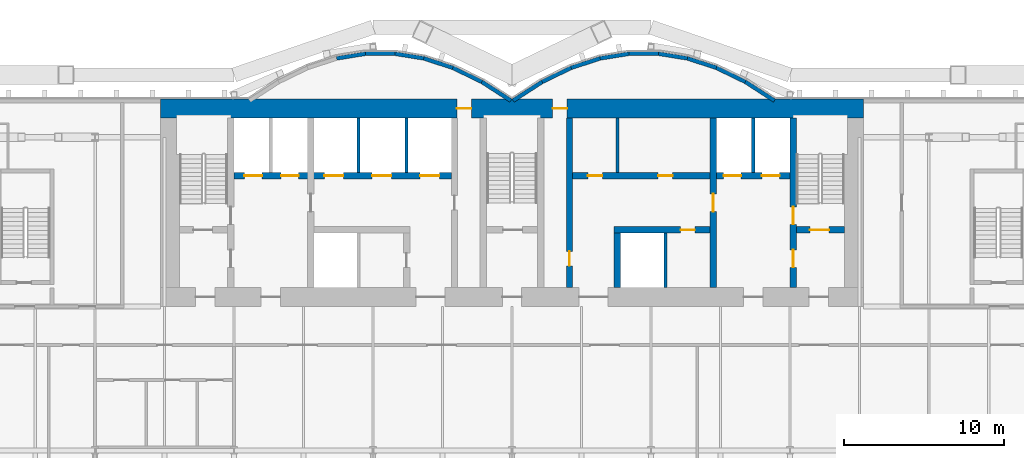
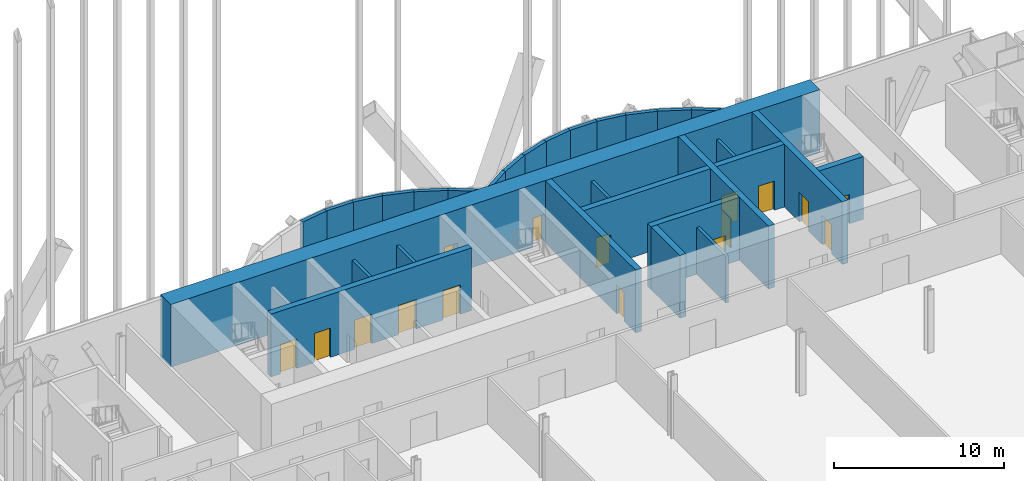
# One storey, part 25 of 29: 29 walls, 17 doors, 17 openings.
"""IFC4 building model written with IfcOpenShell, lengths in metres."""

from ifc_helpers import new_model, si_unit, direction, frame, frame_2d, origin, place, context, subcontext, project, spatial, rectangle, extrude, material, layer, layer_set, layer_usage, type_object, element, fill, save


model = new_model("IFC4")

# Units and contexts
model_context = context("Model", 3, precision=1e-05, world=origin(), true_north=direction((0.0, 1.0)))
body_context = subcontext(model_context, "Body", "Model", "MODEL_VIEW")
ifc_project = project(units=[si_unit("LENGTHUNIT", "METRE"), si_unit("AREAUNIT", "SQUARE_METRE"), si_unit("VOLUMEUNIT", "CUBIC_METRE"), si_unit("PLANEANGLEUNIT", "RADIAN"), si_unit("MASSUNIT", "GRAM", prefix="KILO")], contexts=[model_context])

# Site, building, storey
site_placement = place(None, origin())
site = spatial("IfcSite", under=ifc_project, at=site_placement, CompositionType="ELEMENT")
building_placement = place(site_placement, origin())
building = spatial("IfcBuilding", under=site, at=building_placement, Name="Bicima Exchange Tower", CompositionType="ELEMENT")
storey_placement = place(building_placement, frame((0.0, 0.0, 35.0)))
storey = spatial("IfcBuildingStorey", under=building, at=storey_placement, Name="L06", CompositionType="ELEMENT", Elevation=35.0)

# Walls
ifc_material_1 = material(Name="Gypsum board partition")
ifc_layer_1 = layer(ifc_material_1, 0.199951171875)
ifc_layer_set_1 = layer_set([ifc_layer_1], Name="Gypsum board partition")
wall_type_1 = type_object("IfcWallType", Name="Fire-rated gypsum partition 200 EI120", PredefinedType="PARTITIONING", material=ifc_layer_set_1)
for number, where, z_axis, x_axis, name in (
    (1, (-9.60009765625, -4.60009765625, 0.0), (0.0, 0.0, 1.0), (0.0, 1.0, 0.0), "partition wall 12"),
    (2, (-6.60009765625, -4.60009765625, 0.0), (0.0, 0.0, 1.0), (0.0, 1.0, 0.0), "partition wall 14"),
    (3, (9.60009765625, -11.800048828125, 0.0), (0.0, 0.0, 1.0), (0.0, 1.0, 0.0), "partition wall 21"),
    (4, (15.10009765625, -4.60009765625, 0.0), (0.0, 0.0, 1.0), (0.0, 1.0, 0.0), "partition wall 23"),
):
    element("IfcWall", number, at=place(storey_placement, frame(where, z_axis=z_axis, x_axis=x_axis)), inside=storey, type_object=wall_type_1, Name=name, PredefinedType="PARTITIONING", context=body_context, shape_type="SweptSolid", body=[
        extrude(rectangle(XDim=3.400146484375, YDim=0.199951171875, at=frame_2d((1.7001953125, 0.0))), origin(), (0.0, 0.0, 1.0), 3.359619140625),
    ])
ifc_layer_2 = layer(ifc_material_1, 0.199951171875)
ifc_layer_set_2 = layer_set([ifc_layer_2], Name="Gypsum board partition")
wall_type_2 = type_object("IfcWallType", Name="Fire-rated gypsum partition 200 EI60", PredefinedType="PARTITIONING", material=ifc_layer_set_2)
wall_1_placement = place(storey_placement, frame((6.60009765625, -4.60009765625, 0.0), z_axis=(0.0, 0.0, 1.0), x_axis=(0.0, 1.0, 0.0)))
element("IfcWall", 5, at=wall_1_placement, inside=storey, type_object=wall_type_2, Name="partition wall 20", PredefinedType="PARTITIONING", context=body_context, shape_type="SweptSolid", body=[
    extrude(rectangle(XDim=3.400146484375, YDim=0.199951171875, at=frame_2d((1.7001953125, 0.0))), origin(), (0.0, 0.0, 1.0), 3.359619140625),
])

# Wall, openings, doors
ifc_material_2 = material(Name="Concrete C60/75", Category="concrete")
ifc_layer_3 = layer(ifc_material_2, 1.199951171875)
ifc_layer_set_3 = layer_set([ifc_layer_3], Name="Concrete C60/75")
wall_type_3 = type_object("IfcWallType", Name="RC core wall 1200 C60/75", PredefinedType="SHEAR", material=ifc_layer_set_3)
wall_2_placement = place(storey_placement, frame((-22.0, -0.60009765625, 0.0), z_axis=(0.0, 0.0, 1.0), x_axis=(1.0, 0.0, 0.0)))
wall_2 = element("IfcWall", 6, at=wall_2_placement, inside=storey, type_object=wall_type_3, Name="Core wall north", PredefinedType="SHEAR", context=body_context, shape_type="SweptSolid", body=[
    extrude(rectangle(XDim=44.0, YDim=1.199951171875, at=frame_2d((22.0, 0.0))), origin(), (0.0, 0.0, 1.0), 4.5),
])
opening_1_placement = place(wall_2_placement, frame((18.550048828125, 0.0, 0.0)))
opening_1 = element("IfcOpeningElement", 7, at=opening_1_placement, cuts=wall_2, Name="Opening L06-C16", PredefinedType="OPENING", context=body_context, shape_type="SweptSolid", body=[
    extrude(rectangle(XDim=0.89990234375, YDim=2.10009765625, at=frame_2d((0.449951171875, 1.050048828125))), frame((0.0, 0.61181640625, 0.0), z_axis=(0.0, -1.0, 0.0), x_axis=(1.0, 0.0, 0.0)), (0.0, 0.0, 1.0), 1.223876953125),
])
opening_2_placement = place(wall_2_placement, frame((24.550048828125, 0.0, 0.0)))
opening_2 = element("IfcOpeningElement", 8, at=opening_2_placement, cuts=wall_2, Name="Opening L06-C17", PredefinedType="OPENING", context=body_context, shape_type="SweptSolid", body=[
    extrude(rectangle(XDim=0.89990234375, YDim=2.10009765625, at=frame_2d((0.449951171875, 1.050048828125))), frame((0.0, 0.61181640625, 0.0), z_axis=(0.0, -1.0, 0.0), x_axis=(1.0, 0.0, 0.0)), (0.0, 0.0, 1.0), 1.223876953125),
])
ifc_material_3 = material(Name="Steel fire door leaf", Category="steel")
door_type_1 = type_object("IfcDoorType", Name="Door 900 swing FD30S", OperationType="SINGLE_SWING_LEFT", PredefinedType="DOOR", material=ifc_material_3)
door_1_placement = place(opening_1_placement, origin())
door_1 = element("IfcDoor", 9, at=door_1_placement, inside=storey, type_object=door_type_1, Name="Core door", OperationType="SINGLE_SWING_LEFT", OverallHeight=2.10009765625, OverallWidth=0.89990234375, PredefinedType="DOOR", context=body_context, shape_type="SweptSolid", body=[
    extrude(rectangle(XDim=0.89990234375, YDim=2.10009765625, at=frame_2d((0.449951171875, 1.050048828125))), frame((0.0, 0.02490234375, 0.0), z_axis=(0.0, -1.0, 0.0), x_axis=(1.0, 0.0, 0.0)), (0.0, 0.0, 1.0), 0.050048828125),
])
fill(opening_1, door_1)
door_2_placement = place(opening_2_placement, origin())
door_2 = element("IfcDoor", 10, at=door_2_placement, inside=storey, type_object=door_type_1, Name="Core door", OperationType="SINGLE_SWING_LEFT", OverallHeight=2.10009765625, OverallWidth=0.89990234375, PredefinedType="DOOR", context=body_context, shape_type="SweptSolid", body=[
    extrude(rectangle(XDim=0.89990234375, YDim=2.10009765625, at=frame_2d((0.449951171875, 1.050048828125))), frame((0.0, 0.02490234375, 0.0), z_axis=(0.0, -1.0, 0.0), x_axis=(1.0, 0.0, 0.0)), (0.0, 0.0, 1.0), 0.050048828125),
])
fill(opening_2, door_2)

# Wall, opening, door
ifc_material_4 = material(Name="Concrete C50/60", Category="concrete")
ifc_layer_4 = layer(ifc_material_4, 0.39990234375)
ifc_layer_set_4 = layer_set([ifc_layer_4], Name="Concrete C50/60")
wall_type_4 = type_object("IfcWallType", Name="RC core wall 400 C50/60", PredefinedType="SHEAR", material=ifc_layer_set_4)
wall_3_placement = place(storey_placement, frame((17.800048828125, -8.199951171875, 0.0), z_axis=(0.0, 0.0, 1.0), x_axis=(1.0, 0.0, 0.0)))
wall_3 = element("IfcWall", 11, at=wall_3_placement, inside=storey, type_object=wall_type_4, Name="stair wall 5", PredefinedType="SHEAR", context=body_context, shape_type="SweptSolid", body=[
    extrude(rectangle(XDim=3.0, YDim=0.39990234375, at=frame_2d((1.5, 0.0))), origin(), (0.0, 0.0, 1.0), 4.5),
])
opening_3_placement = place(wall_3_placement, frame((0.85009765625, 0.0, 0.0)))
opening_3 = element("IfcOpeningElement", 12, at=opening_3_placement, cuts=wall_3, Name="Opening L06-C04", PredefinedType="OPENING", context=body_context, shape_type="SweptSolid", body=[
    extrude(rectangle(XDim=1.199951171875, YDim=2.10009765625, at=frame_2d((0.60009765625, 1.050048828125))), frame((0.0, 0.2119140625, 0.0), z_axis=(0.0, -1.0, 0.0), x_axis=(1.0, 0.0, 0.0)), (0.0, 0.0, 1.0), 0.423828125),
])
door_type_2 = type_object("IfcDoorType", Name="Door 1200 swing FD60S", OperationType="SINGLE_SWING_LEFT", PredefinedType="DOOR", material=ifc_material_3)
door_3_placement = place(opening_3_placement, origin())
door_3 = element("IfcDoor", 13, at=door_3_placement, inside=storey, type_object=door_type_2, Name="Core door", OperationType="SINGLE_SWING_RIGHT", OverallHeight=2.10009765625, OverallWidth=1.199951171875, PredefinedType="DOOR", context=body_context, shape_type="SweptSolid", body=[
    extrude(rectangle(XDim=1.199951171875, YDim=2.10009765625, at=frame_2d((0.60009765625, 1.050048828125))), frame((0.0, 0.02490234375, 0.0), z_axis=(0.0, -1.0, 0.0), x_axis=(1.0, 0.0, 0.0)), (0.0, 0.0, 1.0), 0.050048828125),
])
fill(opening_3, door_3)

# Wall, openings, doors
wall_4_placement = place(storey_placement, frame((17.60009765625, -11.800048828125, 0.0), z_axis=(0.0, 0.0, 1.0), x_axis=(0.0, 1.0, 0.0)))
wall_4 = element("IfcWall", 14, at=wall_4_placement, inside=storey, type_object=wall_type_4, Name="stair wall 24", PredefinedType="SHEAR", context=body_context, shape_type="SweptSolid", body=[
    extrude(rectangle(XDim=10.60009765625, YDim=0.39990234375, at=frame_2d((5.300048828125, 0.0))), origin(), (0.0, 0.0, 1.0), 4.5),
])
opening_4_placement = place(wall_4_placement, frame((1.25, 0.0, 0.0)))
opening_4 = element("IfcOpeningElement", 15, at=opening_4_placement, cuts=wall_4, Name="Opening L06-C05", PredefinedType="OPENING", context=body_context, shape_type="SweptSolid", body=[
    extrude(rectangle(XDim=1.10009765625, YDim=2.10009765625, at=frame_2d((0.550048828125, 1.050048828125))), frame((0.0, 0.2119140625, 0.0), z_axis=(0.0, -1.0, 0.0), x_axis=(1.0, 0.0, 0.0)), (0.0, 0.0, 1.0), 0.423828125),
])
opening_5_placement = place(wall_4_placement, frame((3.949951171875, 0.0, 0.0)))
opening_5 = element("IfcOpeningElement", 16, at=opening_5_placement, cuts=wall_4, Name="Opening L06-C08", PredefinedType="OPENING", context=body_context, shape_type="SweptSolid", body=[
    extrude(rectangle(XDim=1.10009765625, YDim=2.10009765625, at=frame_2d((0.550048828125, 1.050048828125))), frame((0.0, 0.2119140625, 0.0), z_axis=(0.0, -1.0, 0.0), x_axis=(1.0, 0.0, 0.0)), (0.0, 0.0, 1.0), 0.423828125),
])
door_type_3 = type_object("IfcDoorType", Name="Door 1100 swing FD60S", OperationType="SINGLE_SWING_LEFT", PredefinedType="DOOR", material=ifc_material_3)
door_4_placement = place(opening_4_placement, origin())
door_4 = element("IfcDoor", 17, at=door_4_placement, inside=storey, type_object=door_type_3, Name="Core door", OperationType="SINGLE_SWING_LEFT", OverallHeight=2.10009765625, OverallWidth=1.10009765625, PredefinedType="DOOR", context=body_context, shape_type="SweptSolid", body=[
    extrude(rectangle(XDim=1.10009765625, YDim=2.10009765625, at=frame_2d((0.550048828125, 1.050048828125))), frame((0.0, 0.02490234375, 0.0), z_axis=(0.0, -1.0, 0.0), x_axis=(1.0, 0.0, 0.0)), (0.0, 0.0, 1.0), 0.050048828125),
])
fill(opening_4, door_4)
door_5_placement = place(opening_5_placement, origin())
door_5 = element("IfcDoor", 18, at=door_5_placement, inside=storey, type_object=door_type_3, Name="Core door", OperationType="SINGLE_SWING_RIGHT", OverallHeight=2.10009765625, OverallWidth=1.10009765625, PredefinedType="DOOR", context=body_context, shape_type="SweptSolid", body=[
    extrude(rectangle(XDim=1.10009765625, YDim=2.10009765625, at=frame_2d((0.550048828125, 1.050048828125))), frame((0.0, 0.02490234375, 0.0), z_axis=(0.0, -1.0, 0.0), x_axis=(1.0, 0.0, 0.0)), (0.0, 0.0, 1.0), 0.050048828125),
])
fill(opening_5, door_5)

# Wall, opening, door
ifc_layer_5 = layer(ifc_material_2, 0.39990234375)
ifc_layer_set_5 = layer_set([ifc_layer_5], Name="Concrete C60/75")
wall_type_5 = type_object("IfcWallType", Name="RC core wall 400 C60/75", PredefinedType="SHEAR", material=ifc_layer_set_5)
wall_5_placement = place(storey_placement, frame((6.39990234375, -8.199951171875, 0.0), z_axis=(0.0, 0.0, 1.0), x_axis=(1.0, 0.0, 0.0)))
wall_5 = element("IfcWall", 19, at=wall_5_placement, inside=storey, type_object=wall_type_5, Name="shear wall 4", PredefinedType="SHEAR", context=body_context, shape_type="SweptSolid", body=[
    extrude(rectangle(XDim=6.0, YDim=0.39990234375, at=frame_2d((3.0, 0.0))), origin(), (0.0, 0.0, 1.0), 4.5),
])
opening_6_placement = place(wall_5_placement, frame((4.14990234375, 0.0, 0.0)))
opening_6 = element("IfcOpeningElement", 20, at=opening_6_placement, cuts=wall_5, Name="Opening L06-C15", PredefinedType="OPENING", context=body_context, shape_type="SweptSolid", body=[
    extrude(rectangle(XDim=0.89990234375, YDim=2.10009765625, at=frame_2d((0.449951171875, 1.050048828125))), frame((0.0, 0.2119140625, 0.0), z_axis=(0.0, -1.0, 0.0), x_axis=(1.0, 0.0, 0.0)), (0.0, 0.0, 1.0), 0.423828125),
])
door_6_placement = place(opening_6_placement, frame((0.89990234375, 0.0, 0.0), z_axis=(0.0, 0.0, 1.0), x_axis=(-1.0, 0.0, 0.0)))
door_6 = element("IfcDoor", 21, at=door_6_placement, inside=storey, type_object=door_type_1, Name="Core door", OperationType="SINGLE_SWING_RIGHT", OverallHeight=2.10009765625, OverallWidth=0.89990234375, PredefinedType="DOOR", context=body_context, shape_type="SweptSolid", body=[
    extrude(rectangle(XDim=0.89990234375, YDim=2.10009765625, at=frame_2d((0.449951171875, 1.050048828125))), frame((0.0, 0.02490234375, 0.0), z_axis=(0.0, -1.0, 0.0), x_axis=(1.0, 0.0, 0.0)), (0.0, 0.0, 1.0), 0.050048828125),
])
fill(opening_6, door_6)

# Wall, openings, doors
wall_6_placement = place(storey_placement, frame((-17.39990234375, -4.800048828125, 0.0), z_axis=(0.0, 0.0, 1.0), x_axis=(1.0, 0.0, 0.0)))
wall_6 = element("IfcWall", 22, at=wall_6_placement, inside=storey, type_object=wall_type_5, Name="shear wall 6", PredefinedType="SHEAR", context=body_context, shape_type="SweptSolid", body=[
    extrude(rectangle(XDim=13.599853515625, YDim=0.39990234375, at=frame_2d((6.7998046875, 0.0))), origin(), (0.0, 0.0, 1.0), 4.5),
])
opening_7_placement = place(wall_6_placement, frame((0.64990234375, 0.0, 0.0)))
opening_7 = element("IfcOpeningElement", 23, at=opening_7_placement, cuts=wall_6, Name="Opening LD-FF1-L06", PredefinedType="OPENING", context=body_context, shape_type="SweptSolid", body=[
    extrude(rectangle(XDim=1.10009765625, YDim=2.10009765625, at=frame_2d((0.550048828125, 1.050048828125))), frame((0.0, 0.2119140625, 0.0), z_axis=(0.0, -1.0, 0.0), x_axis=(1.0, 0.0, 0.0)), (0.0, 0.0, 1.0), 0.423828125),
])
opening_8_placement = place(wall_6_placement, frame((2.949951171875, 0.0, 0.0)))
opening_8 = element("IfcOpeningElement", 24, at=opening_8_placement, cuts=wall_6, Name="Opening LD-FF3-L06", PredefinedType="OPENING", context=body_context, shape_type="SweptSolid", body=[
    extrude(rectangle(XDim=1.10009765625, YDim=2.10009765625, at=frame_2d((0.550048828125, 1.050048828125))), frame((0.0, 0.2119140625, 0.0), z_axis=(0.0, -1.0, 0.0), x_axis=(1.0, 0.0, 0.0)), (0.0, 0.0, 1.0), 0.423828125),
])
opening_9_placement = place(wall_6_placement, frame((5.64990234375, 0.0, 0.0)))
opening_9 = element("IfcOpeningElement", 25, at=opening_9_placement, cuts=wall_6, Name="Opening LD-LB1-L06", PredefinedType="OPENING", context=body_context, shape_type="SweptSolid", body=[
    extrude(rectangle(XDim=1.199951171875, YDim=2.10009765625, at=frame_2d((0.60009765625, 1.050048828125))), frame((0.0, 0.2119140625, 0.0), z_axis=(0.0, -1.0, 0.0), x_axis=(1.0, 0.0, 0.0)), (0.0, 0.0, 1.0), 0.423828125),
])
opening_10_placement = place(wall_6_placement, frame((8.64990234375, 0.0, 0.0)))
opening_10 = element("IfcOpeningElement", 26, at=opening_10_placement, cuts=wall_6, Name="Opening LD-LB2-L06", PredefinedType="OPENING", context=body_context, shape_type="SweptSolid", body=[
    extrude(rectangle(XDim=1.199951171875, YDim=2.10009765625, at=frame_2d((0.60009765625, 1.050048828125))), frame((0.0, 0.2119140625, 0.0), z_axis=(0.0, -1.0, 0.0), x_axis=(1.0, 0.0, 0.0)), (0.0, 0.0, 1.0), 0.423828125),
])
opening_11_placement = place(wall_6_placement, frame((11.64990234375, 0.0, 0.0)))
opening_11 = element("IfcOpeningElement", 27, at=opening_11_placement, cuts=wall_6, Name="Opening LD-LB3-L06", PredefinedType="OPENING", context=body_context, shape_type="SweptSolid", body=[
    extrude(rectangle(XDim=1.199951171875, YDim=2.10009765625, at=frame_2d((0.60009765625, 1.050048828125))), frame((0.0, 0.2119140625, 0.0), z_axis=(0.0, -1.0, 0.0), x_axis=(1.0, 0.0, 0.0)), (0.0, 0.0, 1.0), 0.423828125),
])
ifc_material_5 = material(Name="Stainless steel", Category="steel")
door_type_4 = type_object("IfcDoorType", Name="Lift landing door 1100 sliding", OperationType="DOUBLE_DOOR_SLIDING", PredefinedType="DOOR", material=ifc_material_5)
door_7_placement = place(opening_7_placement, origin())
door_7 = element("IfcDoor", 28, at=door_7_placement, inside=storey, type_object=door_type_4, Name="Lift landing door FF1", OperationType="DOUBLE_DOOR_SLIDING", OverallHeight=2.10009765625, OverallWidth=1.10009765625, PredefinedType="DOOR", context=body_context, shape_type="SweptSolid", body=[
    extrude(rectangle(XDim=1.10009765625, YDim=2.10009765625, at=frame_2d((0.550048828125, 1.050048828125))), frame((0.0, 0.02490234375, 0.0), z_axis=(0.0, -1.0, 0.0), x_axis=(1.0, 0.0, 0.0)), (0.0, 0.0, 1.0), 0.050048828125),
])
fill(opening_7, door_7)
door_8_placement = place(opening_8_placement, origin())
door_8 = element("IfcDoor", 29, at=door_8_placement, inside=storey, type_object=door_type_4, Name="Lift landing door FF3", OperationType="DOUBLE_DOOR_SLIDING", OverallHeight=2.10009765625, OverallWidth=1.10009765625, PredefinedType="DOOR", context=body_context, shape_type="SweptSolid", body=[
    extrude(rectangle(XDim=1.10009765625, YDim=2.10009765625, at=frame_2d((0.550048828125, 1.050048828125))), frame((0.0, 0.02490234375, 0.0), z_axis=(0.0, -1.0, 0.0), x_axis=(1.0, 0.0, 0.0)), (0.0, 0.0, 1.0), 0.050048828125),
])
fill(opening_8, door_8)
door_type_5 = type_object("IfcDoorType", Name="Lift landing door 1200 sliding", OperationType="DOUBLE_DOOR_SLIDING", PredefinedType="DOOR", material=ifc_material_5)
door_9_placement = place(opening_9_placement, origin())
door_9 = element("IfcDoor", 30, at=door_9_placement, inside=storey, type_object=door_type_5, Name="Lift landing door LB1", OperationType="DOUBLE_DOOR_SLIDING", OverallHeight=2.10009765625, OverallWidth=1.199951171875, PredefinedType="DOOR", context=body_context, shape_type="SweptSolid", body=[
    extrude(rectangle(XDim=1.199951171875, YDim=2.10009765625, at=frame_2d((0.60009765625, 1.050048828125))), frame((0.0, 0.02490234375, 0.0), z_axis=(0.0, -1.0, 0.0), x_axis=(1.0, 0.0, 0.0)), (0.0, 0.0, 1.0), 0.050048828125),
])
fill(opening_9, door_9)
door_10_placement = place(opening_10_placement, origin())
door_10 = element("IfcDoor", 31, at=door_10_placement, inside=storey, type_object=door_type_5, Name="Lift landing door LB2", OperationType="DOUBLE_DOOR_SLIDING", OverallHeight=2.10009765625, OverallWidth=1.199951171875, PredefinedType="DOOR", context=body_context, shape_type="SweptSolid", body=[
    extrude(rectangle(XDim=1.199951171875, YDim=2.10009765625, at=frame_2d((0.60009765625, 1.050048828125))), frame((0.0, 0.02490234375, 0.0), z_axis=(0.0, -1.0, 0.0), x_axis=(1.0, 0.0, 0.0)), (0.0, 0.0, 1.0), 0.050048828125),
])
fill(opening_10, door_10)
door_11_placement = place(opening_11_placement, origin())
door_11 = element("IfcDoor", 32, at=door_11_placement, inside=storey, type_object=door_type_5, Name="Lift landing door LB3", OperationType="DOUBLE_DOOR_SLIDING", OverallHeight=2.10009765625, OverallWidth=1.199951171875, PredefinedType="DOOR", context=body_context, shape_type="SweptSolid", body=[
    extrude(rectangle(XDim=1.199951171875, YDim=2.10009765625, at=frame_2d((0.60009765625, 1.050048828125))), frame((0.0, 0.02490234375, 0.0), z_axis=(0.0, -1.0, 0.0), x_axis=(1.0, 0.0, 0.0)), (0.0, 0.0, 1.0), 0.050048828125),
])
fill(opening_11, door_11)

wall_7_placement = place(storey_placement, frame((3.800048828125, -4.800048828125, 0.0), z_axis=(0.0, 0.0, 1.0), x_axis=(1.0, 0.0, 0.0)))
wall_7 = element("IfcWall", 33, at=wall_7_placement, inside=storey, type_object=wall_type_5, Name="shear wall 7", PredefinedType="SHEAR", context=body_context, shape_type="SweptSolid", body=[
    extrude(rectangle(XDim=13.599853515625, YDim=0.39990234375, at=frame_2d((6.7998046875, 0.0))), origin(), (0.0, 0.0, 1.0), 4.5),
])
opening_12_placement = place(wall_7_placement, frame((9.449951171875, 0.0, 0.0)))
opening_12 = element("IfcOpeningElement", 34, at=opening_12_placement, cuts=wall_7, Name="Opening LD-FF2-L06", PredefinedType="OPENING", context=body_context, shape_type="SweptSolid", body=[
    extrude(rectangle(XDim=1.10009765625, YDim=2.10009765625, at=frame_2d((0.550048828125, 1.050048828125))), frame((0.0, 0.2119140625, 0.0), z_axis=(0.0, -1.0, 0.0), x_axis=(1.0, 0.0, 0.0)), (0.0, 0.0, 1.0), 0.423828125),
])
opening_13_placement = place(wall_7_placement, frame((11.85009765625, 0.0, 0.0)))
opening_13 = element("IfcOpeningElement", 35, at=opening_13_placement, cuts=wall_7, Name="Opening LD-SV1-L06", PredefinedType="OPENING", context=body_context, shape_type="SweptSolid", body=[
    extrude(rectangle(XDim=1.10009765625, YDim=2.10009765625, at=frame_2d((0.550048828125, 1.050048828125))), frame((0.0, 0.2119140625, 0.0), z_axis=(0.0, -1.0, 0.0), x_axis=(1.0, 0.0, 0.0)), (0.0, 0.0, 1.0), 0.423828125),
])
opening_14_placement = place(wall_7_placement, frame((0.949951171875, 0.0, 0.0)))
opening_14 = element("IfcOpeningElement", 36, at=opening_14_placement, cuts=wall_7, Name="Opening L06-C12", PredefinedType="OPENING", context=body_context, shape_type="SweptSolid", body=[
    extrude(rectangle(XDim=0.89990234375, YDim=2.10009765625, at=frame_2d((0.449951171875, 1.050048828125))), frame((0.0, 0.2119140625, 0.0), z_axis=(0.0, -1.0, 0.0), x_axis=(1.0, 0.0, 0.0)), (0.0, 0.0, 1.0), 0.423828125),
])
opening_15_placement = place(wall_7_placement, frame((5.35009765625, 0.0, 0.0)))
opening_15 = element("IfcOpeningElement", 37, at=opening_15_placement, cuts=wall_7, Name="Opening L06-C13", PredefinedType="OPENING", context=body_context, shape_type="SweptSolid", body=[
    extrude(rectangle(XDim=0.89990234375, YDim=2.10009765625, at=frame_2d((0.449951171875, 1.050048828125))), frame((0.0, 0.2119140625, 0.0), z_axis=(0.0, -1.0, 0.0), x_axis=(1.0, 0.0, 0.0)), (0.0, 0.0, 1.0), 0.423828125),
])
door_12_placement = place(opening_14_placement, origin())
door_12 = element("IfcDoor", 38, at=door_12_placement, inside=storey, type_object=door_type_1, Name="Core door", OperationType="SINGLE_SWING_RIGHT", OverallHeight=2.10009765625, OverallWidth=0.89990234375, PredefinedType="DOOR", context=body_context, shape_type="SweptSolid", body=[
    extrude(rectangle(XDim=0.89990234375, YDim=2.10009765625, at=frame_2d((0.449951171875, 1.050048828125))), frame((0.0, 0.02490234375, 0.0), z_axis=(0.0, -1.0, 0.0), x_axis=(1.0, 0.0, 0.0)), (0.0, 0.0, 1.0), 0.050048828125),
])
fill(opening_14, door_12)
door_13_placement = place(opening_15_placement, origin())
door_13 = element("IfcDoor", 39, at=door_13_placement, inside=storey, type_object=door_type_1, Name="Core door", OperationType="SINGLE_SWING_LEFT", OverallHeight=2.10009765625, OverallWidth=0.89990234375, PredefinedType="DOOR", context=body_context, shape_type="SweptSolid", body=[
    extrude(rectangle(XDim=0.89990234375, YDim=2.10009765625, at=frame_2d((0.449951171875, 1.050048828125))), frame((0.0, 0.02490234375, 0.0), z_axis=(0.0, -1.0, 0.0), x_axis=(1.0, 0.0, 0.0)), (0.0, 0.0, 1.0), 0.050048828125),
])
fill(opening_15, door_13)
door_14_placement = place(opening_12_placement, origin())
door_14 = element("IfcDoor", 40, at=door_14_placement, inside=storey, type_object=door_type_4, Name="Lift landing door FF2", OperationType="DOUBLE_DOOR_SLIDING", OverallHeight=2.10009765625, OverallWidth=1.10009765625, PredefinedType="DOOR", context=body_context, shape_type="SweptSolid", body=[
    extrude(rectangle(XDim=1.10009765625, YDim=2.10009765625, at=frame_2d((0.550048828125, 1.050048828125))), frame((0.0, 0.02490234375, 0.0), z_axis=(0.0, -1.0, 0.0), x_axis=(1.0, 0.0, 0.0)), (0.0, 0.0, 1.0), 0.050048828125),
])
fill(opening_12, door_14)
door_15_placement = place(opening_13_placement, origin())
door_15 = element("IfcDoor", 41, at=door_15_placement, inside=storey, type_object=door_type_4, Name="Lift landing door SV1", OperationType="DOUBLE_DOOR_SLIDING", OverallHeight=2.10009765625, OverallWidth=1.10009765625, PredefinedType="DOOR", context=body_context, shape_type="SweptSolid", body=[
    extrude(rectangle(XDim=1.10009765625, YDim=2.10009765625, at=frame_2d((0.550048828125, 1.050048828125))), frame((0.0, 0.02490234375, 0.0), z_axis=(0.0, -1.0, 0.0), x_axis=(1.0, 0.0, 0.0)), (0.0, 0.0, 1.0), 0.050048828125),
])
fill(opening_13, door_15)

# Wall, opening, door
wall_8_placement = place(storey_placement, frame((3.60009765625, -11.800048828125, 0.0), z_axis=(0.0, 0.0, 1.0), x_axis=(0.0, 1.0, 0.0)))
wall_8 = element("IfcWall", 42, at=wall_8_placement, inside=storey, type_object=wall_type_5, Name="shear wall 18", PredefinedType="SHEAR", context=body_context, shape_type="SweptSolid", body=[
    extrude(rectangle(XDim=10.60009765625, YDim=0.39990234375, at=frame_2d((5.300048828125, 0.0))), origin(), (0.0, 0.0, 1.0), 4.5),
])
opening_16_placement = place(wall_8_placement, frame((1.35009765625, 0.0, 0.0)))
opening_16 = element("IfcOpeningElement", 43, at=opening_16_placement, cuts=wall_8, Name="Opening L06-C11", PredefinedType="OPENING", context=body_context, shape_type="SweptSolid", body=[
    extrude(rectangle(XDim=0.89990234375, YDim=2.10009765625, at=frame_2d((0.449951171875, 1.050048828125))), frame((0.0, 0.2119140625, 0.0), z_axis=(0.0, -1.0, 0.0), x_axis=(1.0, 0.0, 0.0)), (0.0, 0.0, 1.0), 0.423828125),
])
door_16_placement = place(opening_16_placement, origin())
door_16 = element("IfcDoor", 44, at=door_16_placement, inside=storey, type_object=door_type_1, Name="Core door", OperationType="SINGLE_SWING_LEFT", OverallHeight=2.10009765625, OverallWidth=0.89990234375, PredefinedType="DOOR", context=body_context, shape_type="SweptSolid", body=[
    extrude(rectangle(XDim=0.89990234375, YDim=2.10009765625, at=frame_2d((0.449951171875, 1.050048828125))), frame((0.0, 0.02490234375, 0.0), z_axis=(0.0, -1.0, 0.0), x_axis=(1.0, 0.0, 0.0)), (0.0, 0.0, 1.0), 0.050048828125),
])
fill(opening_16, door_16)

# Wall
wall_9_placement = place(storey_placement, frame((6.60009765625, -11.800048828125, 0.0), z_axis=(0.0, 0.0, 1.0), x_axis=(0.0, 1.0, 0.0)))
element("IfcWall", 45, at=wall_9_placement, inside=storey, type_object=wall_type_5, Name="shear wall 19", PredefinedType="SHEAR", context=body_context, shape_type="SweptSolid", body=[
    extrude(rectangle(XDim=3.400146484375, YDim=0.39990234375, at=frame_2d((1.7001953125, 0.0))), origin(), (0.0, 0.0, 1.0), 4.5),
])

# Wall, opening, door
wall_10_placement = place(storey_placement, frame((12.60009765625, -11.800048828125, 0.0), z_axis=(0.0, 0.0, 1.0), x_axis=(0.0, 1.0, 0.0)))
wall_10 = element("IfcWall", 46, at=wall_10_placement, inside=storey, type_object=wall_type_5, Name="shear wall 22", PredefinedType="SHEAR", context=body_context, shape_type="SweptSolid", body=[
    extrude(rectangle(XDim=10.60009765625, YDim=0.39990234375, at=frame_2d((5.300048828125, 0.0))), origin(), (0.0, 0.0, 1.0), 4.5),
])
opening_17_placement = place(wall_10_placement, frame((4.75, 0.0, 0.0)))
opening_17 = element("IfcOpeningElement", 47, at=opening_17_placement, cuts=wall_10, Name="Opening L06-C09", PredefinedType="OPENING", context=body_context, shape_type="SweptSolid", body=[
    extrude(rectangle(XDim=1.10009765625, YDim=2.10009765625, at=frame_2d((0.550048828125, 1.050048828125))), frame((0.0, 0.2119140625, 0.0), z_axis=(0.0, -1.0, 0.0), x_axis=(1.0, 0.0, 0.0)), (0.0, 0.0, 1.0), 0.423828125),
])
door_17_placement = place(opening_17_placement, frame((1.10009765625, 0.0, 0.0), z_axis=(0.0, 0.0, 1.0), x_axis=(-1.0, 0.0, 0.0)))
door_17 = element("IfcDoor", 48, at=door_17_placement, inside=storey, type_object=door_type_3, Name="Core door", OperationType="SINGLE_SWING_RIGHT", OverallHeight=2.10009765625, OverallWidth=1.10009765625, PredefinedType="DOOR", context=body_context, shape_type="SweptSolid", body=[
    extrude(rectangle(XDim=1.10009765625, YDim=2.10009765625, at=frame_2d((0.550048828125, 1.050048828125))), frame((0.0, 0.02490234375, 0.0), z_axis=(0.0, -1.0, 0.0), x_axis=(1.0, 0.0, 0.0)), (0.0, 0.0, 1.0), 0.050048828125),
])
fill(opening_17, door_17)

# Walls
ifc_material_6 = material(Name="Concrete C40/50", Category="concrete")
ifc_layer_6 = layer(ifc_material_6, 0.25)
ifc_layer_set_6 = layer_set([ifc_layer_6], Name="Concrete C40/50")
ifc_layer_usage = layer_usage(ifc_layer_set_6, "AXIS2", "POSITIVE", -0.125)
wall_type_6 = type_object("IfcWallType", Name="Rear backup wall 250", PredefinedType="STANDARD", material=ifc_layer_set_6)
wall_11_placement = place(storey_placement, frame((16.43212890625, -0.10498046875, 0.0), z_axis=(0.0, 0.0, 1.0), x_axis=(-0.83981312244, 0.542875602121, 0.0)))
element("IfcWall", 49, at=wall_11_placement, inside=storey, type_object=wall_type_6, material=ifc_layer_usage, Name="Rear backup wall L06 2", PredefinedType="STANDARD", context=body_context, shape_type="SweptSolid", body=[
    extrude(rectangle(XDim=2.182861328125, YDim=0.25, at=frame_2d((1.09130859375, 0.0))), origin(), (0.0, 0.0, 1.0), 4.35009765625),
])
wall_12_placement = place(storey_placement, frame((14.6123046875, 1.07275390625, 0.0), z_axis=(0.0, 0.0, 1.0), x_axis=(-0.89982408427, 0.436252928206, 0.0)))
element("IfcWall", 50, at=wall_12_placement, inside=storey, type_object=wall_type_6, material=ifc_layer_usage, Name="Rear backup wall L06 3", PredefinedType="STANDARD", context=body_context, shape_type="SweptSolid", body=[
    extrude(rectangle(XDim=2.03759765625, YDim=0.25, at=frame_2d((1.018798828125, 0.0))), origin(), (0.0, 0.0, 1.0), 4.35009765625),
])
wall_13_placement = place(storey_placement, frame((12.794921875, 1.955078125, 0.0), z_axis=(0.0, 0.0, 1.0), x_axis=(-0.951495806175, 0.307661714928, 0.0)))
element("IfcWall", 51, at=wall_13_placement, inside=storey, type_object=wall_type_6, material=ifc_layer_usage, Name="Rear backup wall L06 4", PredefinedType="STANDARD", context=body_context, shape_type="SweptSolid", body=[
    extrude(rectangle(XDim=1.9267578125, YDim=0.25, at=frame_2d((0.96337890625, 0.0))), origin(), (0.0, 0.0, 1.0), 4.35009765625),
])
wall_14_placement = place(storey_placement, frame((10.97998046875, 2.543212890625, 0.0), z_axis=(0.0, 0.0, 1.0), x_axis=(-0.987181718931, 0.159600293885, 0.0)))
element("IfcWall", 52, at=wall_14_placement, inside=storey, type_object=wall_type_6, material=ifc_layer_usage, Name="Rear backup wall L06 5", PredefinedType="STANDARD", context=body_context, shape_type="SweptSolid", body=[
    extrude(rectangle(XDim=1.857177734375, YDim=0.25, at=frame_2d((0.9287109375, 0.0))), origin(), (0.0, 0.0, 1.0), 4.35009765625),
])
wall_15_placement = place(storey_placement, frame((9.166748046875, 2.837890625, 0.0), z_axis=(0.0, 0.0, 1.0), x_axis=(-1.0, 0.0, 0.0)))
element("IfcWall", 53, at=wall_15_placement, inside=storey, type_object=wall_type_6, material=ifc_layer_usage, Name="Rear backup wall L06 6", PredefinedType="STANDARD", context=body_context, shape_type="SweptSolid", body=[
    extrude(rectangle(XDim=1.83349609375, YDim=0.25, at=frame_2d((0.916748046875, 0.0))), origin(), (0.0, 0.0, 1.0), 4.35009765625),
])
wall_16_placement = place(storey_placement, frame((7.353271484375, 2.839599609375, 0.0), z_axis=(0.0, 0.0, 1.0), x_axis=(-0.987181718931, -0.159600293885, 0.0)))
element("IfcWall", 54, at=wall_16_placement, inside=storey, type_object=wall_type_6, material=ifc_layer_usage, Name="Rear backup wall L06 7", PredefinedType="STANDARD", context=body_context, shape_type="SweptSolid", body=[
    extrude(rectangle(XDim=1.857177734375, YDim=0.25, at=frame_2d((0.9287109375, 0.0))), origin(), (0.0, 0.0, 1.0), 4.35009765625),
])
wall_17_placement = place(storey_placement, frame((5.538330078125, 2.5478515625, 0.0), z_axis=(0.0, 0.0, 1.0), x_axis=(-0.951495806175, -0.307661714928, 0.0)))
element("IfcWall", 55, at=wall_17_placement, inside=storey, type_object=wall_type_6, material=ifc_layer_usage, Name="Rear backup wall L06 8", PredefinedType="STANDARD", context=body_context, shape_type="SweptSolid", body=[
    extrude(rectangle(XDim=1.9267578125, YDim=0.25, at=frame_2d((0.96337890625, 0.0))), origin(), (0.0, 0.0, 1.0), 4.35009765625),
])
wall_18_placement = place(storey_placement, frame((3.72119140625, 1.961669921875, 0.0), z_axis=(0.0, 0.0, 1.0), x_axis=(-0.89982408427, -0.436252928206, 0.0)))
element("IfcWall", 56, at=wall_18_placement, inside=storey, type_object=wall_type_6, material=ifc_layer_usage, Name="Rear backup wall L06 9", PredefinedType="STANDARD", context=body_context, shape_type="SweptSolid", body=[
    extrude(rectangle(XDim=2.03759765625, YDim=0.25, at=frame_2d((1.018798828125, 0.0))), origin(), (0.0, 0.0, 1.0), 4.35009765625),
])
for number, where, z_axis, x_axis, name in (
    (57, (1.901123046875, 1.080078125, 0.0), (0.0, 0.0, 1.0), (-0.83981312244, -0.542875602121, 0.0), "Rear backup wall L06 10"),
    (58, (-0.06787109375, -0.10498046875, 0.0), (0.0, 0.0, 1.0), (-0.83981312244, 0.542875602121, 0.0), "Rear backup wall L06 11"),
):
    element("IfcWall", number, at=place(storey_placement, frame(where, z_axis=z_axis, x_axis=x_axis)), inside=storey, type_object=wall_type_6, material=ifc_layer_usage, Name=name, PredefinedType="STANDARD", context=body_context, shape_type="SweptSolid", body=[
        extrude(rectangle(XDim=2.182861328125, YDim=0.25, at=frame_2d((1.09130859375, 0.0))), origin(), (0.0, 0.0, 1.0), 4.35009765625),
    ])
wall_19_placement = place(storey_placement, frame((-1.8876953125, 1.07275390625, 0.0), z_axis=(0.0, 0.0, 1.0), x_axis=(-0.89982408427, 0.436252928206, 0.0)))
element("IfcWall", 59, at=wall_19_placement, inside=storey, type_object=wall_type_6, material=ifc_layer_usage, Name="Rear backup wall L06 12", PredefinedType="STANDARD", context=body_context, shape_type="SweptSolid", body=[
    extrude(rectangle(XDim=2.03759765625, YDim=0.25, at=frame_2d((1.018798828125, 0.0))), origin(), (0.0, 0.0, 1.0), 4.35009765625),
])
wall_20_placement = place(storey_placement, frame((-3.705078125, 1.955078125, 0.0), z_axis=(0.0, 0.0, 1.0), x_axis=(-0.951495806175, 0.307661714928, 0.0)))
element("IfcWall", 60, at=wall_20_placement, inside=storey, type_object=wall_type_6, material=ifc_layer_usage, Name="Rear backup wall L06 13", PredefinedType="STANDARD", context=body_context, shape_type="SweptSolid", body=[
    extrude(rectangle(XDim=1.9267578125, YDim=0.25, at=frame_2d((0.96337890625, 0.0))), origin(), (0.0, 0.0, 1.0), 4.35009765625),
])
wall_21_placement = place(storey_placement, frame((-5.52001953125, 2.543212890625, 0.0), z_axis=(0.0, 0.0, 1.0), x_axis=(-0.987181718931, 0.159600293885, 0.0)))
element("IfcWall", 61, at=wall_21_placement, inside=storey, type_object=wall_type_6, material=ifc_layer_usage, Name="Rear backup wall L06 14", PredefinedType="STANDARD", context=body_context, shape_type="SweptSolid", body=[
    extrude(rectangle(XDim=1.857177734375, YDim=0.25, at=frame_2d((0.9287109375, 0.0))), origin(), (0.0, 0.0, 1.0), 4.35009765625),
])
wall_22_placement = place(storey_placement, frame((-7.333251953125, 2.837890625, 0.0), z_axis=(0.0, 0.0, 1.0), x_axis=(-1.0, 0.0, 0.0)))
element("IfcWall", 62, at=wall_22_placement, inside=storey, type_object=wall_type_6, material=ifc_layer_usage, Name="Rear backup wall L06 15", PredefinedType="STANDARD", context=body_context, shape_type="SweptSolid", body=[
    extrude(rectangle(XDim=1.83349609375, YDim=0.25, at=frame_2d((0.916748046875, 0.0))), origin(), (0.0, 0.0, 1.0), 4.35009765625),
])
wall_23_placement = place(storey_placement, frame((-9.146728515625, 2.839599609375, 0.0), z_axis=(0.0, 0.0, 1.0), x_axis=(-0.987181718931, -0.159600293885, 0.0)))
element("IfcWall", 63, at=wall_23_placement, inside=storey, type_object=wall_type_6, material=ifc_layer_usage, Name="Rear backup wall L06 16", PredefinedType="STANDARD", context=body_context, shape_type="SweptSolid", body=[
    extrude(rectangle(XDim=1.857177734375, YDim=0.25, at=frame_2d((0.9287109375, 0.0))), origin(), (0.0, 0.0, 1.0), 4.35009765625),
])

save(model, "model.ifc")
